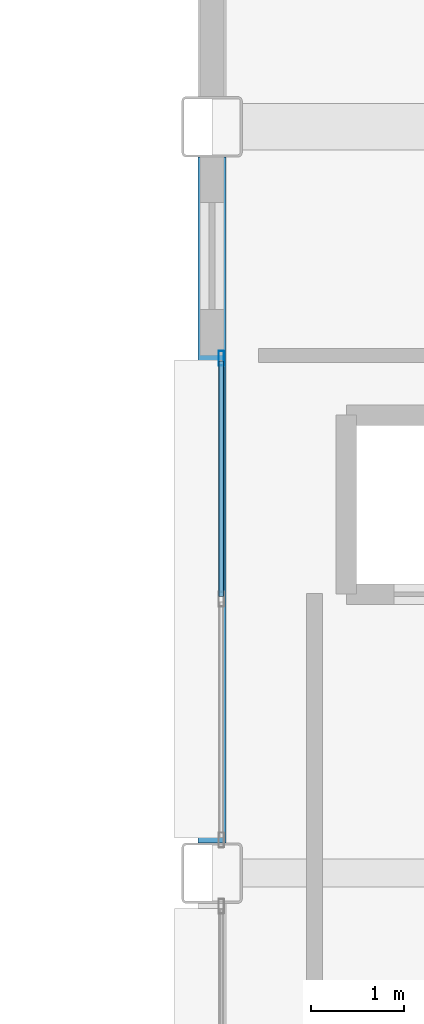
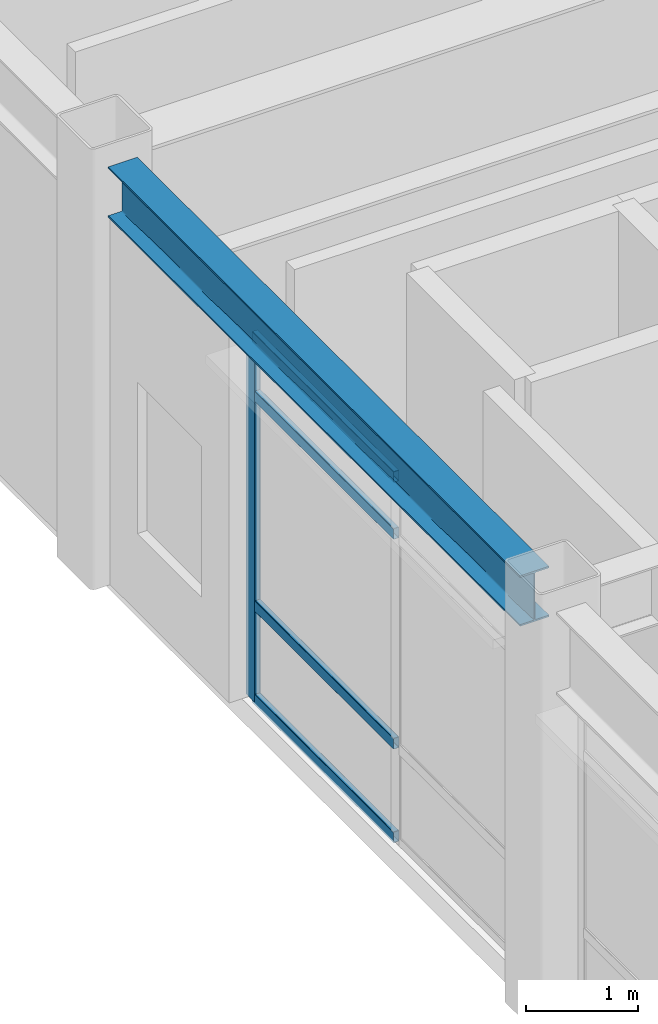
# One storey, part 59 of 93: 5 members, 1 beam, 1 element without a shape of its own.
"""IFC4 building model written with IfcOpenShell, lengths in metres."""

from ifc_helpers import new_model, si_unit, direction, frame, origin, origin_2d, place, context, subcontext, project, spatial, hollow_rectangle, i_section, extrude, material, layer, layer_set, material_profile, profile_set, type_object, element, aggregate, save


model = new_model("IFC4")

# Units and contexts
model_context = context("Model", 3, precision=1e-05, world=origin(), true_north=direction((0.0, 1.0)))
body_context = subcontext(model_context, "Body", "Model", "MODEL_VIEW")
ifc_project = project(units=[si_unit("LENGTHUNIT", "METRE"), si_unit("AREAUNIT", "SQUARE_METRE"), si_unit("VOLUMEUNIT", "CUBIC_METRE"), si_unit("PLANEANGLEUNIT", "RADIAN"), si_unit("MASSUNIT", "GRAM", prefix="KILO")], contexts=[model_context])

# Site, building, storey
site_placement = place(None, origin())
site = spatial("IfcSite", under=ifc_project, at=site_placement, CompositionType="ELEMENT")
building_placement = place(site_placement, origin())
building = spatial("IfcBuilding", under=site, at=building_placement, Name="Kazehara Bluff Congress Hotel", CompositionType="ELEMENT")
storey_placement = place(building_placement, frame((0.0, 0.0, 15.0)))
storey = spatial("IfcBuildingStorey", under=building, at=storey_placement, Name="L03", CompositionType="ELEMENT", Elevation=15.0)

# Curtain wall, members
ifc_material_1 = material(Name="Anodised aluminium", Category="aluminium")
ifc_layer = layer(ifc_material_1, 0.159912109375)
ifc_layer_set = layer_set([ifc_layer], Name="Anodised aluminium")
curtain_wall_type = type_object("IfcCurtainWallType", Name="TP-CW-151", PredefinedType="NOTDEFINED", material=ifc_layer_set)
curtain_wall_placement = place(storey_placement, origin())
curtain_wall = element("IfcCurtainWall", 1, at=curtain_wall_placement, inside=storey, type_object=curtain_wall_type, Name="L03 curtain wall CW-151 CW-ENC-V5-L03-14380-5939", PredefinedType="NOTDEFINED")
ifc_material_2 = material(Name="Anodised aluminium", Category="aluminium")
ifc_material_profile_1 = material_profile(ifc_material_2, hollow_rectangle(XDim=0.06005859375, YDim=0.159912109375, WallThickness=0.00390625, InnerFilletRadius=0.00390625, OuterFilletRadius=0.008056640625, at=origin_2d()))
ifc_profile_set_1 = profile_set([ifc_material_profile_1], Name="Anodised aluminium")
member_type_1 = type_object("IfcMemberType", Name="TP-CWM-01", PredefinedType="MULLION", material=ifc_profile_set_1)
member_1_placement = place(storey_placement, frame((143.800048828125, 61.969970703125, 0.0), z_axis=(0.0, 0.0, 1.0), x_axis=(-1.0, 0.0, 0.0)))
member_1 = element("IfcMember", 2, at=member_1_placement, type_object=member_type_1, Name="CW-151 mullion 3", PredefinedType="MULLION", context=body_context, shape_type="SweptSolid", body=[
    extrude(hollow_rectangle(XDim=0.06005859375, YDim=0.159912109375, WallThickness=0.00390625, InnerFilletRadius=0.00390625, OuterFilletRadius=0.008056640625, at=origin_2d()), origin(), (0.0, 0.0, 1.0), 3.985107421875),
])
ifc_material_3 = material(Name="Anodised aluminium", Category="aluminium")
ifc_material_profile_2 = material_profile(ifc_material_3, hollow_rectangle(XDim=0.06005859375, YDim=0.1201171875, WallThickness=0.00390625, InnerFilletRadius=0.00390625, OuterFilletRadius=0.008056640625, at=origin_2d()))
ifc_profile_set_2 = profile_set([ifc_material_profile_2], Name="Anodised aluminium")
member_type_2 = type_object("IfcMemberType", Name="TP-CWT-01", PredefinedType="USERDEFINED", material=ifc_profile_set_2)
member_2_placement = place(storey_placement, frame((143.800048828125, 59.41748046875, 0.030029296875), z_axis=(0.0, 1.0, 0.0), x_axis=(-1.0, 0.0, 0.0)))
member_2 = element("IfcMember", 3, at=member_2_placement, type_object=member_type_2, Name="CW-151 transom 2.1", ObjectType="TRANSOM", PredefinedType="USERDEFINED", context=body_context, shape_type="SweptSolid", body=[
    extrude(hollow_rectangle(XDim=0.06005859375, YDim=0.1201171875, WallThickness=0.00390625, InnerFilletRadius=0.00390625, OuterFilletRadius=0.008056640625, at=origin_2d()), origin(), (0.0, 0.0, 1.0), 2.5224609375),
])
member_3_placement = place(storey_placement, frame((143.800048828125, 59.41748046875, 1.050048828125), z_axis=(0.0, 1.0, 0.0), x_axis=(-1.0, 0.0, 0.0)))
member_3 = element("IfcMember", 4, at=member_3_placement, type_object=member_type_2, Name="CW-151 transom 2.2", ObjectType="TRANSOM", PredefinedType="USERDEFINED", context=body_context, shape_type="SweptSolid", body=[
    extrude(hollow_rectangle(XDim=0.06005859375, YDim=0.1201171875, WallThickness=0.00390625, InnerFilletRadius=0.00390625, OuterFilletRadius=0.008056640625, at=origin_2d()), origin(), (0.0, 0.0, 1.0), 2.5224609375),
])
member_4_placement = place(storey_placement, frame((143.800048828125, 59.41748046875, 3.3349609375), z_axis=(0.0, 1.0, 0.0), x_axis=(-1.0, 0.0, 0.0)))
member_4 = element("IfcMember", 5, at=member_4_placement, type_object=member_type_2, Name="CW-151 transom 2.3", ObjectType="TRANSOM", PredefinedType="USERDEFINED", context=body_context, shape_type="SweptSolid", body=[
    extrude(hollow_rectangle(XDim=0.06005859375, YDim=0.1201171875, WallThickness=0.00390625, InnerFilletRadius=0.00390625, OuterFilletRadius=0.008056640625, at=origin_2d()), origin(), (0.0, 0.0, 1.0), 2.5224609375),
])
member_5_placement = place(storey_placement, frame((143.800048828125, 59.41748046875, 3.955078125), z_axis=(0.0, 1.0, 0.0), x_axis=(-1.0, 0.0, 0.0)))
member_5 = element("IfcMember", 6, at=member_5_placement, type_object=member_type_2, Name="CW-151 transom 2.4", ObjectType="TRANSOM", PredefinedType="USERDEFINED", context=body_context, shape_type="SweptSolid", body=[
    extrude(hollow_rectangle(XDim=0.06005859375, YDim=0.1201171875, WallThickness=0.00390625, InnerFilletRadius=0.00390625, OuterFilletRadius=0.008056640625, at=origin_2d()), origin(), (0.0, 0.0, 1.0), 2.5224609375),
])
aggregate(curtain_wall, [member_1, member_2, member_3, member_4, member_5])

# Beam
ifc_material_4 = material(Name="Steel SN490B", Category="steel")
ifc_material_profile_3 = material_profile(ifc_material_4, i_section(OverallWidth=0.300048828125, OverallDepth=0.550048828125, WebThickness=0.010986328125, FlangeThickness=0.01806640625, FilletRadius=0.012939453125, at=origin_2d()))
ifc_profile_set_3 = profile_set([ifc_material_profile_3], Name="Steel SN490B")
beam_type = type_object("IfcBeamType", Name="TP-SP-01", PredefinedType="SPANDREL", material=ifc_profile_set_3)
beam_placement = place(storey_placement, frame((143.699951171875, 56.77490234375, 4.284912109375), z_axis=(0.0, 1.0, 0.0), x_axis=(-1.0, 0.0, 0.0)))
element("IfcBeam", 7, at=beam_placement, inside=storey, type_object=beam_type, Name="L03 girder SP-01 115", PredefinedType="SPANDREL", context=body_context, shape_type="SweptSolid", body=[
    extrude(i_section(OverallWidth=0.300048828125, OverallDepth=0.550048828125, WebThickness=0.010986328125, FlangeThickness=0.01806640625, FilletRadius=0.012939453125, at=origin_2d()), origin(), (0.0, 0.0, 1.0), 7.35009765625),
])

save(model, "model.ifc")
